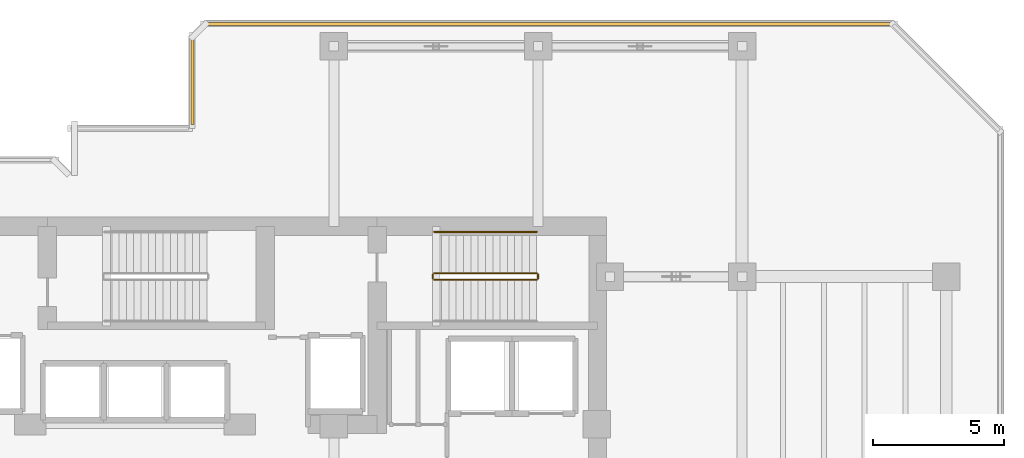
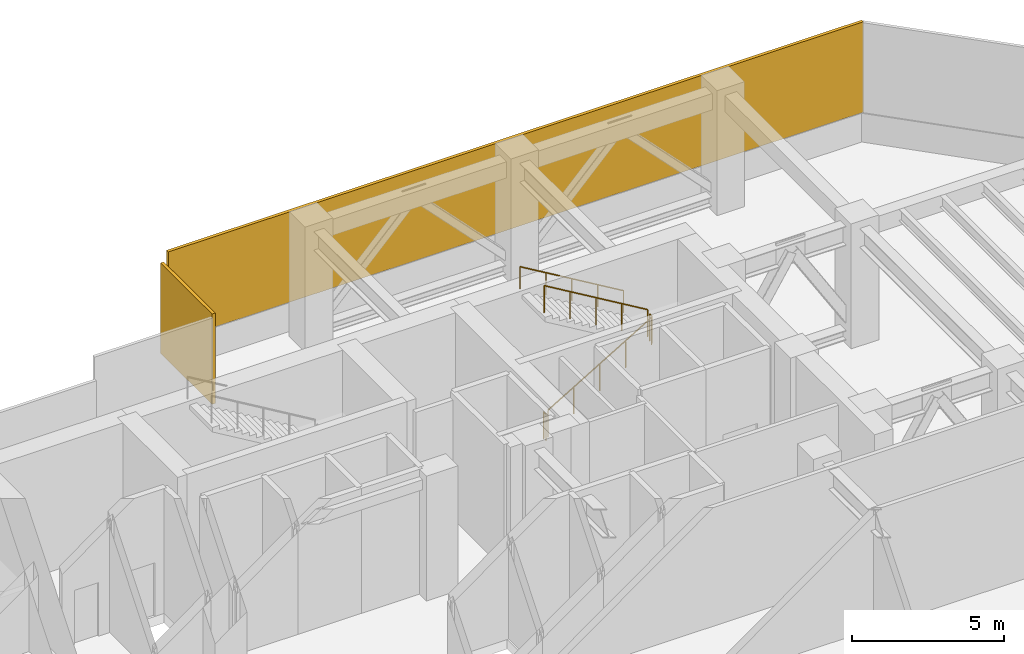
# One storey, part 9 of 10: 5 railings, 2 shading devices.
"""IFC4 building model written with IfcOpenShell, lengths in metres."""

from ifc_helpers import new_model, si_unit, direction, frame, origin, origin_2d, place, context, subcontext, project, spatial, rectangle, circle, extrude, material, layer, layer_set, type_object, element, save


model = new_model("IFC4")

# Units and contexts
model_context = context("Model", 3, precision=1e-05, world=origin(), true_north=direction((0.0, 1.0)))
body_context = subcontext(model_context, "Body", "Model", "MODEL_VIEW")
ifc_project = project(units=[si_unit("LENGTHUNIT", "METRE"), si_unit("AREAUNIT", "SQUARE_METRE"), si_unit("VOLUMEUNIT", "CUBIC_METRE"), si_unit("PLANEANGLEUNIT", "RADIAN"), si_unit("MASSUNIT", "GRAM", prefix="KILO")], contexts=[model_context])

# Site, building, storey
site_placement = place(None, origin())
site = spatial("IfcSite", under=ifc_project, at=site_placement, CompositionType="ELEMENT")
building_placement = place(site_placement, origin())
building = spatial("IfcBuilding", under=site, at=building_placement, Name="Kestravale Grand Hotel", CompositionType="ELEMENT")
storey_placement = place(building_placement, frame((0.0, 0.0, 184.0)))
storey = spatial("IfcBuildingStorey", under=building, at=storey_placement, Name="L46", CompositionType="ELEMENT", Elevation=184.0)

# Railings
ifc_material_1 = material(Name="Painted tubular steel stair well guard", Category="steel")
railing_type_1 = type_object("IfcRailingType", Name="RL-ST-GRD1100", PredefinedType="GUARDRAIL", material=ifc_material_1)
railing_1_placement = place(storey_placement, frame((50.6298828125, 38.280029296875, 0.166748046875)))
element("IfcRailing", 1, at=railing_1_placement, inside=storey, type_object=railing_type_1, Name="L46 ST-3 stair guard 1", PredefinedType="GUARDRAIL", context=body_context, shape_type="SweptSolid", body=[
    extrude(circle(Radius=0.02392578125, at=origin_2d()), frame((0.0, 0.0, 1.076171875), z_axis=(0.859310244771, 0.0, 0.511454693235), x_axis=(0.0, 1.0, 0.0)), (0.0, 0.0, 1.0), 4.56201171875),
    extrude(circle(Radius=0.02099609375, at=origin_2d()), origin(), (0.0, 0.0, 1.0), 1.052001953125),
    extrude(circle(Radius=0.02099609375, at=origin_2d()), frame((0.97998046875, 0.0, 0.583251953125)), (0.0, 0.0, 1.0), 1.052001953125),
    extrude(circle(Radius=0.02099609375, at=origin_2d()), frame((1.9599609375, 0.0, 1.16650390625)), (0.0, 0.0, 1.0), 1.052001953125),
    extrude(circle(Radius=0.02099609375, at=origin_2d()), frame((2.940185546875, 0.0, 1.75)), (0.0, 0.0, 1.0), 1.052001953125),
    extrude(circle(Radius=0.02099609375, at=origin_2d()), frame((3.920166015625, 0.0, 2.333251953125)), (0.0, 0.0, 1.0), 1.052001953125),
])
railing_2_placement = place(storey_placement, frame((54.60009765625, 38.330078125, 2.5)))
element("IfcRailing", 2, at=railing_2_placement, inside=storey, type_object=railing_type_1, Name="L46 ST-3 stair guard 2", PredefinedType="GUARDRAIL", context=body_context, shape_type="SweptSolid", body=[
    extrude(circle(Radius=0.02392578125, at=origin_2d()), frame((0.0, 0.0, 1.076171875), z_axis=(0.0, 1.0, 0.0), x_axis=(-1.0, 0.0, 0.0)), (0.0, 0.0, 1.0), 0.14990234375),
    extrude(circle(Radius=0.02099609375, at=origin_2d()), origin(), (0.0, 0.0, 1.0), 1.052001953125),
    extrude(circle(Radius=0.02099609375, at=origin_2d()), frame((0.0, 0.14990234375, 0.0)), (0.0, 0.0, 1.0), 1.052001953125),
])
railing_3_placement = place(storey_placement, frame((54.550048828125, 38.530029296875, 2.666748046875)))
element("IfcRailing", 3, at=railing_3_placement, inside=storey, type_object=railing_type_1, Name="L46 ST-3 stair guard 3", PredefinedType="GUARDRAIL", context=body_context, shape_type="SweptSolid", body=[
    extrude(circle(Radius=0.02392578125, at=origin_2d()), frame((0.0, 0.0, 1.076171875), z_axis=(-0.859310244771, 0.0, 0.511454693235), x_axis=(0.0, -1.0, 0.0)), (0.0, 0.0, 1.0), 4.56201171875),
    extrude(circle(Radius=0.02099609375, at=origin_2d()), origin(), (0.0, 0.0, 1.0), 1.052001953125),
    extrude(circle(Radius=0.02099609375, at=origin_2d()), frame((-0.97998046875, 0.0, 0.583251953125)), (0.0, 0.0, 1.0), 1.052001953125),
    extrude(circle(Radius=0.02099609375, at=origin_2d()), frame((-1.9599609375, 0.0, 1.16650390625)), (0.0, 0.0, 1.0), 1.052001953125),
    extrude(circle(Radius=0.02099609375, at=origin_2d()), frame((-2.940185546875, 0.0, 1.75)), (0.0, 0.0, 1.0), 1.052001953125),
    extrude(circle(Radius=0.02099609375, at=origin_2d()), frame((-3.920166015625, 0.0, 2.333251953125)), (0.0, 0.0, 1.0), 1.052001953125),
])
railing_4_placement = place(storey_placement, frame((50.580078125, 38.330078125, 0.0)))
element("IfcRailing", 4, at=railing_4_placement, inside=storey, type_object=railing_type_1, Name="L46 ST-3 stair guard 4", PredefinedType="GUARDRAIL", context=body_context, shape_type="SweptSolid", body=[
    extrude(circle(Radius=0.02392578125, at=origin_2d()), frame((0.0, 0.0, 1.076171875), z_axis=(0.0, 1.0, 0.0), x_axis=(-1.0, 0.0, 0.0)), (0.0, 0.0, 1.0), 0.14990234375),
    extrude(circle(Radius=0.02099609375, at=origin_2d()), origin(), (0.0, 0.0, 1.0), 1.052001953125),
    extrude(circle(Radius=0.02099609375, at=origin_2d()), frame((0.0, 0.14990234375, 0.0)), (0.0, 0.0, 1.0), 1.052001953125),
])
ifc_material_2 = material(Name="Brushed stainless steel wall handrail", Category="steel")
railing_type_2 = type_object("IfcRailingType", Name="RL-ST-HND900", PredefinedType="HANDRAIL", material=ifc_material_2)
railing_5_placement = place(storey_placement, frame((54.550048828125, 40.110107421875, 2.666748046875)))
element("IfcRailing", 5, at=railing_5_placement, inside=storey, type_object=railing_type_2, Name="L46 ST-3 stair handrail 2", PredefinedType="HANDRAIL", context=body_context, shape_type="SweptSolid", body=[
    extrude(circle(Radius=0.02392578125, at=origin_2d()), frame((0.0, 0.0, 0.8759765625), z_axis=(-0.859310244771, 0.0, 0.511454693235), x_axis=(0.0, -1.0, 0.0)), (0.0, 0.0, 1.0), 4.56201171875),
    extrude(circle(Radius=0.02099609375, at=origin_2d()), origin(), (0.0, 0.0, 1.0), 0.851806640625),
    extrude(circle(Radius=0.02099609375, at=origin_2d()), frame((-0.97998046875, 0.0, 0.583251953125)), (0.0, 0.0, 1.0), 0.851806640625),
    extrude(circle(Radius=0.02099609375, at=origin_2d()), frame((-1.9599609375, 0.0, 1.16650390625)), (0.0, 0.0, 1.0), 0.851806640625),
    extrude(circle(Radius=0.02099609375, at=origin_2d()), frame((-2.940185546875, 0.0, 1.75)), (0.0, 0.0, 1.0), 0.851806640625),
    extrude(circle(Radius=0.02099609375, at=origin_2d()), frame((-3.920166015625, 0.0, 2.333251953125)), (0.0, 0.0, 1.0), 0.851806640625),
])

# Shading devices
ifc_material_3 = material(Name="Anodised bronze storm-proof acoustic ventilation louvre", Category="aluminium")
ifc_layer = layer(ifc_material_3, 0.1201171875)
ifc_layer_set = layer_set([ifc_layer], Name="SHD-LVR-REF")
shading_device_type = type_object("IfcShadingDeviceType", Name="SHD-LVR-REF", PredefinedType="JALOUSIE", material=ifc_layer_set)
shading_device_1_placement = place(storey_placement, frame((55.02490234375, 48.06005859375, 1.1298828125), z_axis=(0.0, 0.0, 1.0), x_axis=(-1.0, 0.0, 0.0)))
element("IfcShadingDevice", 6, at=shading_device_1_placement, inside=storey, type_object=shading_device_type, Name="L46 mechanical refuge chevron louvre 11", PredefinedType="JALOUSIE", context=body_context, shape_type="SweptSolid", body=[
    extrude(rectangle(XDim=26.330078125, YDim=0.1201171875, at=origin_2d()), origin(), (0.0, 0.0, 1.0), 3.6201171875),
])
shading_device_2_placement = place(storey_placement, frame((41.389892578125, 45.89990234375, 1.1298828125), z_axis=(0.0, 0.0, 1.0), x_axis=(0.0, -1.0, 0.0)))
element("IfcShadingDevice", 7, at=shading_device_2_placement, inside=storey, type_object=shading_device_type, Name="L46 mechanical refuge chevron louvre 13", PredefinedType="JALOUSIE", context=body_context, shape_type="SweptSolid", body=[
    extrude(rectangle(XDim=3.3798828125, YDim=0.1201171875, at=origin_2d()), origin(), (0.0, 0.0, 1.0), 3.6201171875),
])

save(model, "model.ifc")
